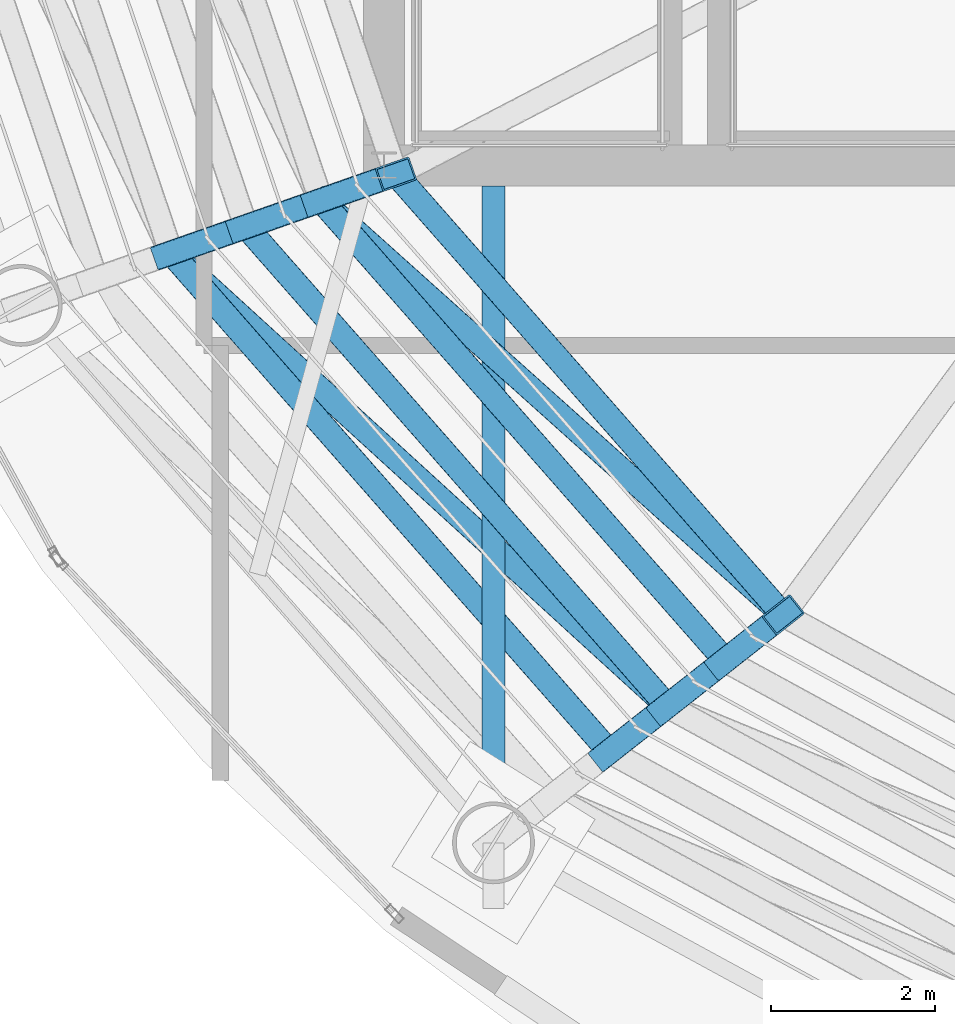
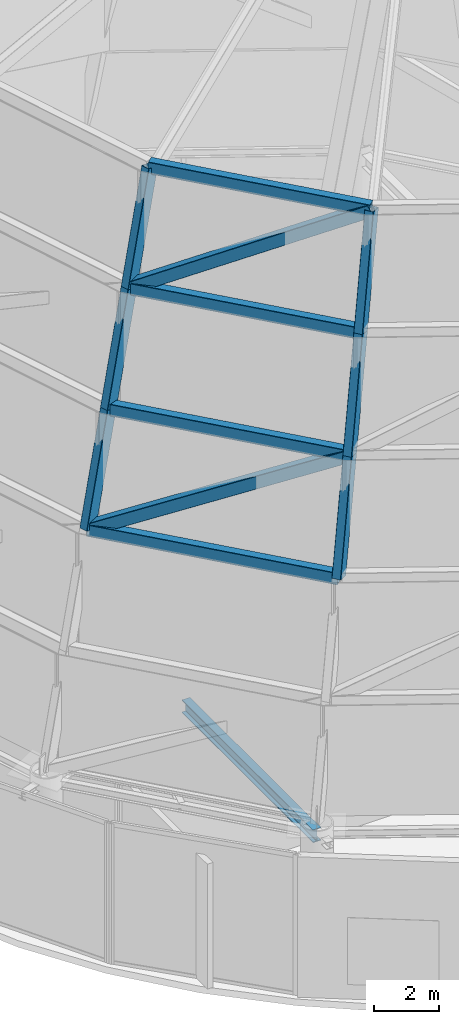
# One storey, part 6 of 40: 12 members, 1 beam.
"""IFC4 building model written with IfcOpenShell, lengths in metres."""

from ifc_helpers import new_model, si_unit, direction, frame, origin, origin_2d, place, context, subcontext, project, spatial, hollow_rectangle, i_section, extrude, material, material_profile, profile_set, type_object, element, save


model = new_model("IFC4")

# Units and contexts
model_context = context("Model", 3, precision=1e-05, world=origin(), true_north=direction((0.0, 1.0)))
body_context = subcontext(model_context, "Body", "Model", "MODEL_VIEW")
ifc_project = project(units=[si_unit("LENGTHUNIT", "METRE"), si_unit("AREAUNIT", "SQUARE_METRE"), si_unit("VOLUMEUNIT", "CUBIC_METRE"), si_unit("PLANEANGLEUNIT", "RADIAN"), si_unit("MASSUNIT", "GRAM", prefix="KILO")], contexts=[model_context])

# Site, building, storey
site_placement = place(None, origin())
site = spatial("IfcSite", under=ifc_project, at=site_placement, CompositionType="ELEMENT")
building_placement = place(site_placement, origin())
building = spatial("IfcBuilding", under=site, at=building_placement, Name="Bramvorn Convention Spire", CompositionType="ELEMENT")
storey_placement = place(building_placement, frame((0.0, 0.0, 312.5)))
storey = spatial("IfcBuildingStorey", under=building, at=storey_placement, Name="L79", CompositionType="ELEMENT", Elevation=312.5)

# Beam
ifc_material = material(Name="Steel CSA G40.21 Grade 350 (350W)", Category="steel")
ifc_material_profile_1 = material_profile(ifc_material, i_section(OverallWidth=0.283935546875, OverallDepth=0.47607421875, WebThickness=0.014892578125, FlangeThickness=0.02392578125, FilletRadius=0.01806640625, at=origin_2d()))
ifc_profile_set_1 = profile_set([ifc_material_profile_1], Name="Steel CSA G40.21 Grade 350 (350W) - W460X158")
beam_type = type_object("IfcBeamType", Name="BM-W460X158", PredefinedType="SPANDREL", material=ifc_profile_set_1)
beam_placement = place(storey_placement, frame((28.337646484375, 18.550048828125, 5.011962890625), z_axis=(0.0, -1.0, 0.0), x_axis=(1.0, 0.0, 0.0)))
element("IfcBeam", 1, at=beam_placement, inside=storey, type_object=beam_type, Name="L79 radial floor girder MC14", PredefinedType="SPANDREL", context=body_context, shape_type="SweptSolid", body=[
    extrude(i_section(OverallWidth=0.283935546875, OverallDepth=0.47607421875, WebThickness=0.014892578125, FlangeThickness=0.02392578125, FilletRadius=0.01806640625, at=origin_2d()), origin(), (0.0, 0.0, 1.0), 8.02685546875),
])

# Members
ifc_material_profile_2 = material_profile(ifc_material, hollow_rectangle(XDim=0.300048828125, YDim=0.449951171875, WallThickness=0.02001953125, InnerFilletRadius=0.00390625, OuterFilletRadius=0.02392578125, at=origin_2d()))
ifc_profile_set_2 = profile_set([ifc_material_profile_2], Name="Steel CSA G40.21 Grade 350 (350W) - CROWN450X300X20")
member_type = type_object("IfcMemberType", Name="MBR-CROWN450X300X20", PredefinedType="USERDEFINED", material=ifc_profile_set_2)
member_1_placement = place(storey_placement, frame((24.3984375, 17.7314453125, 13.5), z_axis=(0.660090422721, -0.751186151251, 0.0), x_axis=(0.751186151251, 0.660090422721, 0.0)))
element("IfcMember", 2, at=member_1_placement, inside=storey, type_object=member_type, Name="Crown spire CROWN FRAME ring beam T2-13", ObjectType="CROWN FRAME", PredefinedType="USERDEFINED", context=body_context, shape_type="SweptSolid", body=[
    extrude(hollow_rectangle(XDim=0.300048828125, YDim=0.449951171875, WallThickness=0.02001953125, InnerFilletRadius=0.00390625, OuterFilletRadius=0.02392578125, at=origin_2d()), origin(), (0.0, 0.0, 1.0), 8.112548828125),
])
member_2_placement = place(storey_placement, frame((24.3984375, 17.7314453125, 13.5), z_axis=(0.222490021588, 0.077939719639, 0.971814586429), x_axis=(-0.330608180836, 0.943768102218, 0.0)))
element("IfcMember", 3, at=member_2_placement, inside=storey, type_object=member_type, Name="Crown spire CROWN FRAME rib T3-13", ObjectType="CROWN FRAME", PredefinedType="USERDEFINED", context=body_context, shape_type="SweptSolid", body=[
    extrude(hollow_rectangle(XDim=0.300048828125, YDim=0.449951171875, WallThickness=0.02001953125, InnerFilletRadius=0.00390625, OuterFilletRadius=0.02392578125, at=origin_2d()), origin(), (0.0, 0.0, 1.0), 4.115966796875),
])
member_3_placement = place(storey_placement, frame((25.314208984375, 18.05224609375, 17.5), z_axis=(0.660065890129, -0.751207708086, 0.0), x_axis=(0.751207708086, 0.660065890129, 0.0)))
element("IfcMember", 4, at=member_3_placement, inside=storey, type_object=member_type, Name="Crown spire CROWN FRAME ring beam T3-13", ObjectType="CROWN FRAME", PredefinedType="USERDEFINED", context=body_context, shape_type="SweptSolid", body=[
    extrude(hollow_rectangle(XDim=0.300048828125, YDim=0.449951171875, WallThickness=0.02001953125, InnerFilletRadius=0.00390625, OuterFilletRadius=0.02392578125, at=origin_2d()), origin(), (0.0, 0.0, 1.0), 7.797607421875),
])
member_4_placement = place(storey_placement, frame((24.3984375, 17.7314453125, 13.5), z_axis=(0.663820156565, -0.606240781651, 0.437966796004), x_axis=(0.674356785902, 0.738405664461, 0.0)))
element("IfcMember", 5, at=member_4_placement, inside=storey, type_object=member_type, Name="Crown spire CROWN FRAME wind brace T3-13", ObjectType="CROWN FRAME", PredefinedType="USERDEFINED", context=body_context, shape_type="SweptSolid", body=[
    extrude(hollow_rectangle(XDim=0.300048828125, YDim=0.449951171875, WallThickness=0.02001953125, InnerFilletRadius=0.00390625, OuterFilletRadius=0.02392578125, at=origin_2d()), origin(), (0.0, 0.0, 1.0), 9.133056640625),
])
member_5_placement = place(storey_placement, frame((29.75341796875, 11.637451171875, 13.5), z_axis=(0.172618498109, 0.135879756014, 0.975571394628), x_axis=(-0.618527562059, 0.785763103597, 0.0)))
element("IfcMember", 6, at=member_5_placement, inside=storey, type_object=member_type, Name="Crown spire CROWN FRAME rib T3-14", ObjectType="CROWN FRAME", PredefinedType="USERDEFINED", context=body_context, shape_type="SweptSolid", body=[
    extrude(hollow_rectangle(XDim=0.300048828125, YDim=0.449951171875, WallThickness=0.02001953125, InnerFilletRadius=0.00390625, OuterFilletRadius=0.02392578125, at=origin_2d()), origin(), (0.0, 0.0, 1.0), 4.10009765625),
])
member_6_placement = place(storey_placement, frame((25.314208984375, 18.05224609375, 17.5), z_axis=(0.222433641809, 0.07794074809, 0.971827409975), x_axis=(-0.330686703301, 0.943740591614, 0.0)))
element("IfcMember", 7, at=member_6_placement, inside=storey, type_object=member_type, Name="Crown spire CROWN FRAME rib T4-13", ObjectType="CROWN FRAME", PredefinedType="USERDEFINED", context=body_context, shape_type="SweptSolid", body=[
    extrude(hollow_rectangle(XDim=0.300048828125, YDim=0.449951171875, WallThickness=0.02001953125, InnerFilletRadius=0.00390625, OuterFilletRadius=0.02392578125, at=origin_2d()), origin(), (0.0, 0.0, 1.0), 4.115966796875),
])
member_7_placement = place(storey_placement, frame((26.229736328125, 18.373046875, 21.5), z_axis=(0.660073882359, -0.751200685455, 0.0), x_axis=(0.751200685455, 0.660073882359, 0.0)))
element("IfcMember", 8, at=member_7_placement, inside=storey, type_object=member_type, Name="Crown spire CROWN FRAME ring beam T4-13", ObjectType="CROWN FRAME", PredefinedType="USERDEFINED", context=body_context, shape_type="SweptSolid", body=[
    extrude(hollow_rectangle(XDim=0.300048828125, YDim=0.449951171875, WallThickness=0.02001953125, InnerFilletRadius=0.00390625, OuterFilletRadius=0.02392578125, at=origin_2d()), origin(), (0.0, 0.0, 1.0), 7.48291015625),
])
member_8_placement = place(storey_placement, frame((30.461181640625, 12.194580078125, 17.5), z_axis=(0.172617101191, 0.135938200076, 0.975563499797), x_axis=(-0.618694870351, 0.78563137501, 0.0)))
element("IfcMember", 9, at=member_8_placement, inside=storey, type_object=member_type, Name="Crown spire CROWN FRAME rib T4-14", ObjectType="CROWN FRAME", PredefinedType="USERDEFINED", context=body_context, shape_type="SweptSolid", body=[
    extrude(hollow_rectangle(XDim=0.300048828125, YDim=0.449951171875, WallThickness=0.02001953125, InnerFilletRadius=0.00390625, OuterFilletRadius=0.02392578125, at=origin_2d()), origin(), (0.0, 0.0, 1.0), 4.10009765625),
])
member_9_placement = place(storey_placement, frame((26.229736328125, 18.373046875, 21.5), z_axis=(0.222433641809, 0.07794074809, 0.971827409975), x_axis=(-0.330686703301, 0.943740591614, 0.0)))
element("IfcMember", 10, at=member_9_placement, inside=storey, type_object=member_type, Name="Crown spire CROWN FRAME rib T5-13", ObjectType="CROWN FRAME", PredefinedType="USERDEFINED", context=body_context, shape_type="SweptSolid", body=[
    extrude(hollow_rectangle(XDim=0.300048828125, YDim=0.449951171875, WallThickness=0.02001953125, InnerFilletRadius=0.00390625, OuterFilletRadius=0.02392578125, at=origin_2d()), origin(), (0.0, 0.0, 1.0), 4.115966796875),
])
member_10_placement = place(storey_placement, frame((27.145263671875, 18.69384765625, 25.5), z_axis=(0.66006568826, -0.751207885463, 0.0), x_axis=(0.751207885463, 0.66006568826, 0.0)))
element("IfcMember", 11, at=member_10_placement, inside=storey, type_object=member_type, Name="Crown spire CROWN FRAME ring beam T5-13", ObjectType="CROWN FRAME", PredefinedType="USERDEFINED", context=body_context, shape_type="SweptSolid", body=[
    extrude(hollow_rectangle(XDim=0.300048828125, YDim=0.449951171875, WallThickness=0.02001953125, InnerFilletRadius=0.00390625, OuterFilletRadius=0.02392578125, at=origin_2d()), origin(), (0.0, 0.0, 1.0), 7.168212890625),
])
member_11_placement = place(storey_placement, frame((26.229736328125, 18.373046875, 21.5), z_axis=(0.658532748476, -0.590544153433, 0.466467814571), x_axis=(0.667629924897, 0.744493306473, 0.0)))
element("IfcMember", 12, at=member_11_placement, inside=storey, type_object=member_type, Name="Crown spire CROWN FRAME wind brace T5-13", ObjectType="CROWN FRAME", PredefinedType="USERDEFINED", context=body_context, shape_type="SweptSolid", body=[
    extrude(hollow_rectangle(XDim=0.300048828125, YDim=0.449951171875, WallThickness=0.02001953125, InnerFilletRadius=0.00390625, OuterFilletRadius=0.02392578125, at=origin_2d()), origin(), (0.0, 0.0, 1.0), 8.5751953125),
])
member_12_placement = place(storey_placement, frame((31.1689453125, 12.751953125, 21.5), z_axis=(0.172618498109, 0.135879756014, 0.975571394628), x_axis=(-0.618527562059, 0.785763103597, 0.0)))
element("IfcMember", 13, at=member_12_placement, inside=storey, type_object=member_type, Name="Crown spire CROWN FRAME rib T5-14", ObjectType="CROWN FRAME", PredefinedType="USERDEFINED", context=body_context, shape_type="SweptSolid", body=[
    extrude(hollow_rectangle(XDim=0.300048828125, YDim=0.449951171875, WallThickness=0.02001953125, InnerFilletRadius=0.00390625, OuterFilletRadius=0.02392578125, at=origin_2d()), origin(), (0.0, 0.0, 1.0), 4.10009765625),
])

save(model, "model.ifc")
